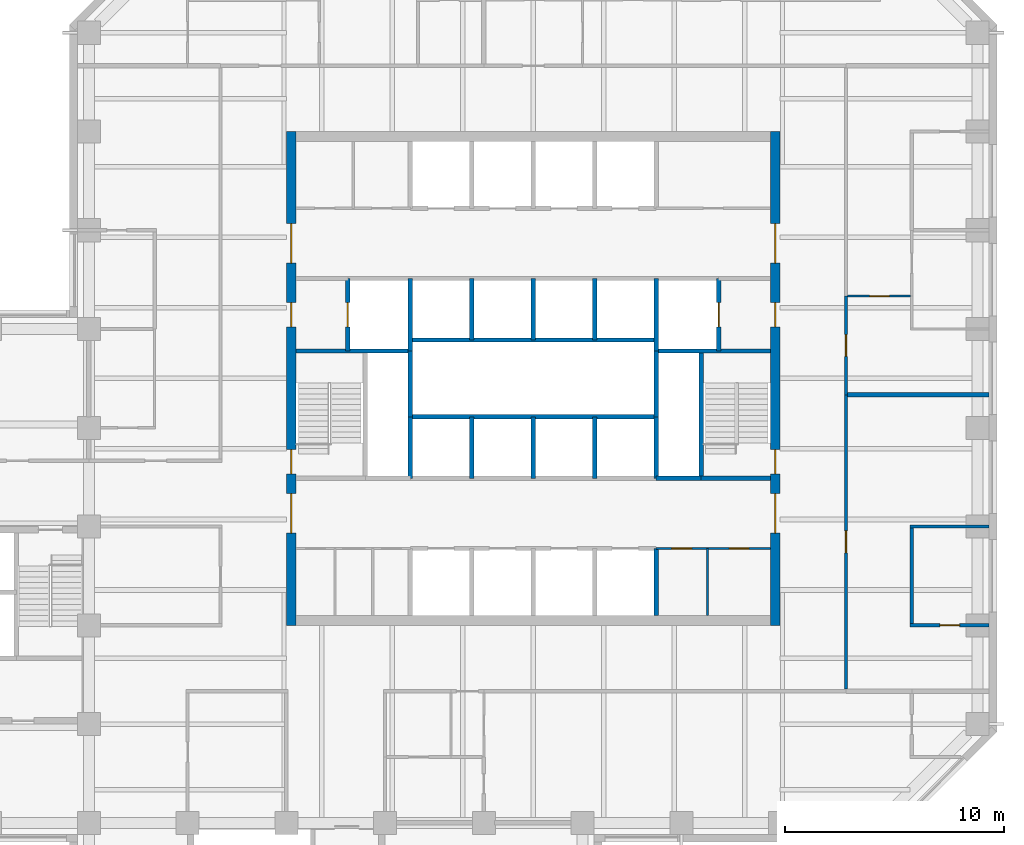
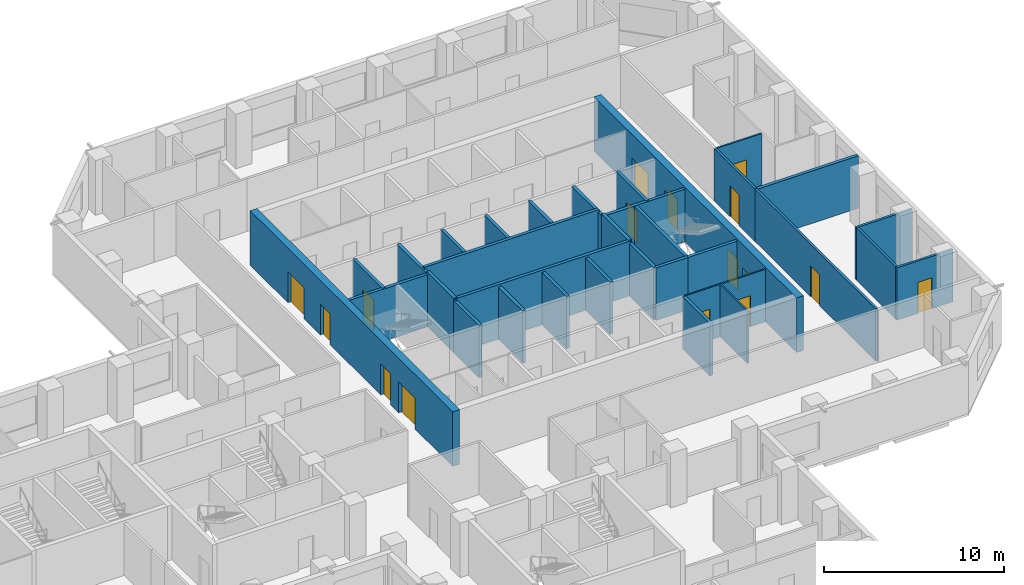
# One storey, part 7 of 11: 33 walls, 16 doors, 16 openings.
"""IFC4 building model written with IfcOpenShell, lengths in metres."""

from ifc_helpers import new_model, si_unit, direction, frame, frame_2d, origin, place, context, subcontext, project, spatial, rectangle, extrude, material, layer, layer_set, type_object, element, fill, save


model = new_model("IFC4")

# Units and contexts
model_context = context("Model", 3, precision=1e-05, world=origin(), true_north=direction((0.0, 1.0)))
body_context = subcontext(model_context, "Body", "Model", "MODEL_VIEW")
ifc_project = project(units=[si_unit("LENGTHUNIT", "METRE"), si_unit("AREAUNIT", "SQUARE_METRE"), si_unit("VOLUMEUNIT", "CUBIC_METRE"), si_unit("PLANEANGLEUNIT", "RADIAN"), si_unit("MASSUNIT", "GRAM", prefix="KILO")], contexts=[model_context])

# Site, building, storey
site_placement = place(None, origin())
site = spatial("IfcSite", under=ifc_project, at=site_placement, CompositionType="ELEMENT")
building_placement = place(site_placement, origin())
building = spatial("IfcBuilding", under=site, at=building_placement, Name="Quoin Convention Tower", CompositionType="ELEMENT")
storey_placement = place(building_placement, frame((0.0, 0.0, 123.300048828125)))
storey = spatial("IfcBuildingStorey", under=building, at=storey_placement, Name="L32", CompositionType="ELEMENT", Elevation=123.300048828125)

# Wall, opening, door
ifc_material_1 = material(Name="Plasterboard")
ifc_layer_1 = layer(ifc_material_1, 0.012451171875, Name="Finish")
ifc_material_2 = material(Name="Steel stud framing", Category="steel")
ifc_layer_2 = layer(ifc_material_2, 0.125, Name="Structure")
ifc_layer_3 = layer(ifc_material_1, 0.012451171875, Name="Finish")
ifc_layer_set_1 = layer_set([ifc_layer_1, ifc_layer_2, ifc_layer_3], Name="Steel stud framing")
wall_type_1 = type_object("IfcWallType", Name="Acoustic partition 150", PredefinedType="PARTITIONING", material=ifc_layer_set_1)
wall_1_placement = place(storey_placement, frame((73.425048828125, 49.5, 0.0), z_axis=(0.0, 0.0, 1.0), x_axis=(1.0, 0.0, 0.0)))
wall_1 = element("IfcWall", 1, at=wall_1_placement, inside=storey, type_object=wall_type_1, Name="pw-L32-028", PredefinedType="PARTITIONING", context=body_context, shape_type="SweptSolid", body=[
    extrude(rectangle(XDim=3.599853515625, YDim=0.14990234375, at=frame_2d((1.7998046875, 0.0))), origin(), (0.0, 0.0, 1.0), 3.550048828125),
])
opening_1_placement = place(wall_1_placement, frame((1.35009765625, 0.0, 0.0)))
opening_1 = element("IfcOpeningElement", 2, at=opening_1_placement, cuts=wall_1, Name="Opening DOL6-10", PredefinedType="OPENING", context=body_context, shape_type="SweptSolid", body=[
    extrude(rectangle(XDim=0.89990234375, YDim=2.10009765625, at=frame_2d((0.449951171875, 1.050048828125))), frame((0.0, 0.0849609375, 0.0), z_axis=(0.0, -1.0, 0.0), x_axis=(1.0, 0.0, 0.0)), (0.0, 0.0, 1.0), 0.169921875),
])
ifc_material_3 = material(Name="Steel door leaf", Category="steel")
door_type_1 = type_object("IfcDoorType", Name="Office door 900 x 2100", OperationType="SINGLE_SWING_RIGHT", PredefinedType="DOOR", material=ifc_material_3)
door_1_placement = place(opening_1_placement, frame((0.89990234375, 0.0, 0.0), z_axis=(0.0, 0.0, 1.0), x_axis=(-1.0, 0.0, 0.0)))
door_1 = element("IfcDoor", 3, at=door_1_placement, inside=storey, type_object=door_type_1, Name="dr-L32-24", OperationType="SINGLE_SWING_LEFT", OverallHeight=2.10009765625, OverallWidth=0.89990234375, PredefinedType="DOOR", context=body_context, shape_type="SweptSolid", body=[
    extrude(rectangle(XDim=0.89990234375, YDim=2.10009765625, at=frame_2d((0.449951171875, 1.050048828125))), frame((0.0, 0.02490234375, 0.0), z_axis=(0.0, -1.0, 0.0), x_axis=(1.0, 0.0, 0.0)), (0.0, 0.0, 1.0), 0.050048828125),
])
fill(opening_1, door_1)

# Walls
wall_2_placement = place(storey_placement, frame((73.425048828125, 54.0, 0.0), z_axis=(0.0, 0.0, 1.0), x_axis=(1.0, 0.0, 0.0)))
element("IfcWall", 4, at=wall_2_placement, inside=storey, type_object=wall_type_1, Name="pw-L32-032", PredefinedType="PARTITIONING", context=body_context, shape_type="SweptSolid", body=[
    extrude(rectangle(XDim=3.599853515625, YDim=0.14990234375, at=frame_2d((1.7998046875, 0.0))), origin(), (0.0, 0.0, 1.0), 3.550048828125),
])
wall_3_placement = place(storey_placement, frame((73.5, 49.574951171875, 0.0), z_axis=(0.0, 0.0, 1.0), x_axis=(0.0, 1.0, 0.0)))
element("IfcWall", 5, at=wall_3_placement, inside=storey, type_object=wall_type_1, Name="pw-L32-084", PredefinedType="PARTITIONING", context=body_context, shape_type="SweptSolid", body=[
    extrude(rectangle(XDim=4.35009765625, YDim=0.14990234375, at=frame_2d((2.175048828125, 0.0))), origin(), (0.0, 0.0, 1.0), 3.550048828125),
])

# Wall, openings, doors
ifc_layer_4 = layer(ifc_material_1, 0.012451171875, Name="Finish")
ifc_layer_5 = layer(ifc_material_2, 0.074951171875, Name="Structure")
ifc_layer_6 = layer(ifc_material_1, 0.012451171875, Name="Finish")
ifc_layer_set_2 = layer_set([ifc_layer_4, ifc_layer_5, ifc_layer_6], Name="Steel stud framing")
wall_type_2 = type_object("IfcWallType", Name="Core partition wall", PredefinedType="PARTITIONING", material=ifc_layer_set_2)
wall_4_placement = place(storey_placement, frame((61.85009765625, 53.0, 0.0), z_axis=(0.0, 0.0, 1.0), x_axis=(1.0, 0.0, 0.0)))
wall_4 = element("IfcWall", 6, at=wall_4_placement, inside=storey, type_object=wall_type_2, Name="cr-C1-L32-h3500_16850", PredefinedType="PARTITIONING", context=body_context, shape_type="SweptSolid", body=[
    extrude(rectangle(XDim=5.199951171875, YDim=0.10009765625, at=frame_2d((2.60009765625, 0.0))), origin(), (0.0, 0.0, 1.0), 3.550048828125),
])
opening_2_placement = place(wall_4_placement, frame((3.320068359375, 0.0, 0.0)))
opening_2 = element("IfcOpeningElement", 7, at=opening_2_placement, cuts=wall_4, Name="Opening DCV5-23", PredefinedType="OPENING", context=body_context, shape_type="SweptSolid", body=[
    extrude(rectangle(XDim=0.89990234375, YDim=2.10009765625, at=frame_2d((0.449951171875, 1.050048828125))), frame((0.0, 0.06005859375, 0.0), z_axis=(0.0, -1.0, 0.0), x_axis=(1.0, 0.0, 0.0)), (0.0, 0.0, 1.0), 0.1201171875),
])
opening_3_placement = place(wall_4_placement, frame((0.719970703125, 0.0, 0.0)))
opening_3 = element("IfcOpeningElement", 8, at=opening_3_placement, cuts=wall_4, Name="Opening DCV5-21", PredefinedType="OPENING", context=body_context, shape_type="SweptSolid", body=[
    extrude(rectangle(XDim=0.89990234375, YDim=2.10009765625, at=frame_2d((0.449951171875, 1.050048828125))), frame((0.0, 0.06005859375, 0.0), z_axis=(0.0, -1.0, 0.0), x_axis=(1.0, 0.0, 0.0)), (0.0, 0.0, 1.0), 0.1201171875),
])
door_type_2 = type_object("IfcDoorType", Name="Core room door 900 x 2100", OperationType="SINGLE_SWING_LEFT", PredefinedType="DOOR", material=ifc_material_3)
door_2_placement = place(opening_2_placement, frame((0.89990234375, 0.0, 0.0), z_axis=(0.0, 0.0, 1.0), x_axis=(-1.0, 0.0, 0.0)))
door_2 = element("IfcDoor", 9, at=door_2_placement, inside=storey, type_object=door_type_2, Name="cd-C1-L32-CSE0-lobA-CD3210", OperationType="SINGLE_SWING_LEFT", OverallHeight=2.10009765625, OverallWidth=0.89990234375, PredefinedType="DOOR", context=body_context, shape_type="SweptSolid", body=[
    extrude(rectangle(XDim=0.89990234375, YDim=2.10009765625, at=frame_2d((0.449951171875, 1.050048828125))), frame((0.0, 0.02490234375, 0.0), z_axis=(0.0, -1.0, 0.0), x_axis=(1.0, 0.0, 0.0)), (0.0, 0.0, 1.0), 0.050048828125),
])
fill(opening_2, door_2)
door_3_placement = place(opening_3_placement, frame((0.89990234375, 0.0, 0.0), z_axis=(0.0, 0.0, 1.0), x_axis=(-1.0, 0.0, 0.0)))
door_3 = element("IfcDoor", 10, at=door_3_placement, inside=storey, type_object=door_type_2, Name="cd-C1-L32-CSE1-lobA-CD3211", OperationType="SINGLE_SWING_RIGHT", OverallHeight=2.10009765625, OverallWidth=0.89990234375, PredefinedType="DOOR", context=body_context, shape_type="SweptSolid", body=[
    extrude(rectangle(XDim=0.89990234375, YDim=2.10009765625, at=frame_2d((0.449951171875, 1.050048828125))), frame((0.0, 0.02490234375, 0.0), z_axis=(0.0, -1.0, 0.0), x_axis=(1.0, 0.0, 0.0)), (0.0, 0.0, 1.0), 0.050048828125),
])
fill(opening_3, door_3)

# Walls
wall_5_placement = place(storey_placement, frame((64.18994140625, 49.949951171875, 0.0), z_axis=(0.0, 0.0, 1.0), x_axis=(0.0, 1.0, 0.0)))
element("IfcWall", 11, at=wall_5_placement, inside=storey, type_object=wall_type_2, Name="cr-C1-L32-v19190_450", PredefinedType="PARTITIONING", context=body_context, shape_type="SweptSolid", body=[
    extrude(rectangle(XDim=3.050048828125, YDim=0.10009765625, at=frame_2d((1.52490234375, 0.0))), origin(), (0.0, 0.0, 1.0), 3.550048828125),
])
ifc_material_4 = material(Name="Concrete C50", Category="concrete")
ifc_layer_7 = layer(ifc_material_4, 0.199951171875)
ifc_layer_set_3 = layer_set([ifc_layer_7], Name="Concrete C50")
wall_type_3 = type_object("IfcWallType", Name="Core shaft wall", PredefinedType="SOLIDWALL", material=ifc_layer_set_3)
wall_6_placement = place(storey_placement, frame((61.85009765625, 56.199951171875, 0.0), z_axis=(0.0, 0.0, 1.0), x_axis=(1.0, 0.0, 0.0)))
element("IfcWall", 12, at=wall_6_placement, inside=storey, type_object=wall_type_3, Name="cr-C1-L32-h6700_16850", PredefinedType="SOLIDWALL", context=body_context, shape_type="SweptSolid", body=[
    extrude(rectangle(XDim=2.0498046875, YDim=0.199951171875, at=frame_2d((1.02490234375, 0.0))), origin(), (0.0, 0.0, 1.0), 3.550048828125),
])
wall_7_placement = place(storey_placement, frame((63.89990234375, 56.199951171875, 0.0), z_axis=(0.0, 0.0, 1.0), x_axis=(1.0, 0.0, 0.0)))
element("IfcWall", 13, at=wall_7_placement, inside=storey, type_object=wall_type_3, Name="cr-C1-L32-h6700_18900", PredefinedType="SOLIDWALL", context=body_context, shape_type="SweptSolid", body=[
    extrude(rectangle(XDim=3.150146484375, YDim=0.199951171875, at=frame_2d((1.5751953125, 0.0))), origin(), (0.0, 0.0, 1.0), 3.550048828125),
])
for number, where, z_axis, x_axis, name in (
    (14, (45.449951171875, 62.0, 0.0), (0.0, 0.0, 1.0), (1.0, 0.0, 0.0), "cr-C1-L32-h12500_450"),
    (15, (61.85009765625, 62.0, 0.0), (0.0, 0.0, 1.0), (1.0, 0.0, 0.0), "cr-C1-L32-h12500_16850"),
):
    element("IfcWall", number, at=place(storey_placement, frame(where, z_axis=z_axis, x_axis=x_axis)), inside=storey, type_object=wall_type_3, Name=name, PredefinedType="SOLIDWALL", context=body_context, shape_type="SweptSolid", body=[
        extrude(rectangle(XDim=5.199951171875, YDim=0.199951171875, at=frame_2d((2.60009765625, 0.0))), origin(), (0.0, 0.0, 1.0), 3.550048828125),
    ])

# Wall, opening, door
wall_8_placement = place(storey_placement, frame((47.800048828125, 62.0, 0.0), z_axis=(0.0, 0.0, 1.0), x_axis=(0.0, 1.0, 0.0)))
wall_8 = element("IfcWall", 16, at=wall_8_placement, inside=storey, type_object=wall_type_3, Name="cr-C1-L32-v2800_12500", PredefinedType="SOLIDWALL", context=body_context, shape_type="SweptSolid", body=[
    extrude(rectangle(XDim=3.300048828125, YDim=0.199951171875, at=frame_2d((1.64990234375, 0.0))), origin(), (0.0, 0.0, 1.0), 3.550048828125),
])
opening_4_placement = place(wall_8_placement, frame((1.10009765625, 0.0, 0.0)))
opening_4 = element("IfcOpeningElement", 17, at=opening_4_placement, cuts=wall_8, Name="Opening LDFL1", PredefinedType="OPENING", context=body_context, shape_type="SweptSolid", body=[
    extrude(rectangle(XDim=1.10009765625, YDim=2.10009765625, at=frame_2d((0.550048828125, 1.050048828125))), frame((0.0, 0.10986328125, 0.0), z_axis=(0.0, -1.0, 0.0), x_axis=(1.0, 0.0, 0.0)), (0.0, 0.0, 1.0), 0.219970703125),
])
door_type_3 = type_object("IfcDoorType", Name="Lift landing door 1100 x 2100", OperationType="DOUBLE_DOOR_SLIDING", PredefinedType="DOOR", material=ifc_material_3)
door_4_placement = place(opening_4_placement, origin())
door_4 = element("IfcDoor", 18, at=door_4_placement, inside=storey, type_object=door_type_3, Name="cd-C1-L32-FLW-FFW-LDFL1", OperationType="DOUBLE_DOOR_SLIDING", OverallHeight=2.10009765625, OverallWidth=1.10009765625, PredefinedType="DOOR", context=body_context, shape_type="SweptSolid", body=[
    extrude(rectangle(XDim=1.10009765625, YDim=2.10009765625, at=frame_2d((0.550048828125, 1.050048828125))), frame((0.0, 0.02490234375, 0.0), z_axis=(0.0, -1.0, 0.0), x_axis=(1.0, 0.0, 0.0)), (0.0, 0.0, 1.0), 0.050048828125),
])
fill(opening_4, door_4)

# Walls
wall_9_placement = place(storey_placement, frame((50.64990234375, 56.199951171875, 0.0), z_axis=(0.0, 0.0, 1.0), x_axis=(0.0, 1.0, 0.0)))
element("IfcWall", 19, at=wall_9_placement, inside=storey, type_object=wall_type_3, Name="cr-C1-L32-v5650_6700", PredefinedType="SOLIDWALL", context=body_context, shape_type="SweptSolid", body=[
    extrude(rectangle(XDim=2.800048828125, YDim=0.199951171875, at=frame_2d((1.39990234375, 0.0))), origin(), (0.0, 0.0, 1.0), 3.550048828125),
])
wall_10_placement = place(storey_placement, frame((50.64990234375, 62.0, 0.0), z_axis=(0.0, 0.0, 1.0), x_axis=(0.0, 1.0, 0.0)))
element("IfcWall", 20, at=wall_10_placement, inside=storey, type_object=wall_type_3, Name="cr-C1-L32-v5650_12500", PredefinedType="SOLIDWALL", context=body_context, shape_type="SweptSolid", body=[
    extrude(rectangle(XDim=3.300048828125, YDim=0.199951171875, at=frame_2d((1.64990234375, 0.0))), origin(), (0.0, 0.0, 1.0), 3.550048828125),
])
for number, where, z_axis, x_axis, name in (
    (21, (53.449951171875, 56.199951171875, 0.0), (0.0, 0.0, 1.0), (0.0, 1.0, 0.0), "cr-C1-L32-v8450_6700"),
    (22, (53.449951171875, 62.5, 0.0), (0.0, 0.0, 1.0), (0.0, 1.0, 0.0), "cr-C1-L32-v8450_13000"),
    (23, (56.25, 56.199951171875, 0.0), (0.0, 0.0, 1.0), (0.0, 1.0, 0.0), "cr-C1-L32-v11250_6700"),
    (24, (56.25, 62.5, 0.0), (0.0, 0.0, 1.0), (0.0, 1.0, 0.0), "cr-C1-L32-v11250_13000"),
    (25, (59.050048828125, 56.199951171875, 0.0), (0.0, 0.0, 1.0), (0.0, 1.0, 0.0), "cr-C1-L32-v14050_6700"),
    (26, (59.050048828125, 62.5, 0.0), (0.0, 0.0, 1.0), (0.0, 1.0, 0.0), "cr-C1-L32-v14050_13000"),
):
    element("IfcWall", number, at=place(storey_placement, frame(where, z_axis=z_axis, x_axis=x_axis)), inside=storey, type_object=wall_type_3, Name=name, PredefinedType="SOLIDWALL", context=body_context, shape_type="SweptSolid", body=[
        extrude(rectangle(XDim=2.800048828125, YDim=0.199951171875, at=frame_2d((1.39990234375, 0.0))), origin(), (0.0, 0.0, 1.0), 3.550048828125),
    ])
wall_11_placement = place(storey_placement, frame((61.85009765625, 49.949951171875, 0.0), z_axis=(0.0, 0.0, 1.0), x_axis=(0.0, 1.0, 0.0)))
element("IfcWall", 27, at=wall_11_placement, inside=storey, type_object=wall_type_3, Name="cr-C1-L32-v16850_450", PredefinedType="SOLIDWALL", context=body_context, shape_type="SweptSolid", body=[
    extrude(rectangle(XDim=3.050048828125, YDim=0.199951171875, at=frame_2d((1.52490234375, 0.0))), origin(), (0.0, 0.0, 1.0), 3.550048828125),
])
wall_12_placement = place(storey_placement, frame((61.85009765625, 56.199951171875, 0.0), z_axis=(0.0, 0.0, 1.0), x_axis=(0.0, 1.0, 0.0)))
element("IfcWall", 28, at=wall_12_placement, inside=storey, type_object=wall_type_3, Name="cr-C1-L32-v16850_6700", PredefinedType="SOLIDWALL", context=body_context, shape_type="SweptSolid", body=[
    extrude(rectangle(XDim=2.800048828125, YDim=0.199951171875, at=frame_2d((1.39990234375, 0.0))), origin(), (0.0, 0.0, 1.0), 3.550048828125),
])
wall_13_placement = place(storey_placement, frame((61.85009765625, 62.0, 0.0), z_axis=(0.0, 0.0, 1.0), x_axis=(0.0, 1.0, 0.0)))
element("IfcWall", 29, at=wall_13_placement, inside=storey, type_object=wall_type_3, Name="cr-C1-L32-v16850_12500", PredefinedType="SOLIDWALL", context=body_context, shape_type="SweptSolid", body=[
    extrude(rectangle(XDim=3.300048828125, YDim=0.199951171875, at=frame_2d((1.64990234375, 0.0))), origin(), (0.0, 0.0, 1.0), 3.550048828125),
])
wall_14_placement = place(storey_placement, frame((63.89990234375, 56.199951171875, 0.0), z_axis=(0.0, 0.0, 1.0), x_axis=(0.0, 1.0, 0.0)))
element("IfcWall", 30, at=wall_14_placement, inside=storey, type_object=wall_type_3, Name="cr-C1-L32-v18900_6700", PredefinedType="SOLIDWALL", context=body_context, shape_type="SweptSolid", body=[
    extrude(rectangle(XDim=5.800048828125, YDim=0.199951171875, at=frame_2d((2.89990234375, 0.0))), origin(), (0.0, 0.0, 1.0), 3.550048828125),
])

# Wall, opening, door
wall_15_placement = place(storey_placement, frame((64.699951171875, 62.0, 0.0), z_axis=(0.0, 0.0, 1.0), x_axis=(0.0, 1.0, 0.0)))
wall_15 = element("IfcWall", 31, at=wall_15_placement, inside=storey, type_object=wall_type_3, Name="cr-C1-L32-v19700_12500", PredefinedType="SOLIDWALL", context=body_context, shape_type="SweptSolid", body=[
    extrude(rectangle(XDim=3.300048828125, YDim=0.199951171875, at=frame_2d((1.64990234375, 0.0))), origin(), (0.0, 0.0, 1.0), 3.550048828125),
])
opening_5_placement = place(wall_15_placement, frame((1.10009765625, 0.0, 0.0)))
opening_5 = element("IfcOpeningElement", 32, at=opening_5_placement, cuts=wall_15, Name="Opening LDFL2", PredefinedType="OPENING", context=body_context, shape_type="SweptSolid", body=[
    extrude(rectangle(XDim=1.10009765625, YDim=2.10009765625, at=frame_2d((0.550048828125, 1.050048828125))), frame((0.0, 0.10986328125, 0.0), z_axis=(0.0, -1.0, 0.0), x_axis=(1.0, 0.0, 0.0)), (0.0, 0.0, 1.0), 0.219970703125),
])
door_5_placement = place(opening_5_placement, origin())
door_5 = element("IfcDoor", 33, at=door_5_placement, inside=storey, type_object=door_type_3, Name="cd-C1-L32-FLE-FFE-LDFL2", OperationType="DOUBLE_DOOR_SLIDING", OverallHeight=2.10009765625, OverallWidth=1.10009765625, PredefinedType="DOOR", context=body_context, shape_type="SweptSolid", body=[
    extrude(rectangle(XDim=1.10009765625, YDim=2.10009765625, at=frame_2d((0.550048828125, 1.050048828125))), frame((0.0, 0.02490234375, 0.0), z_axis=(0.0, -1.0, 0.0), x_axis=(1.0, 0.0, 0.0)), (0.0, 0.0, 1.0), 0.050048828125),
])
fill(opening_5, door_5)

# Walls
ifc_layer_8 = layer(ifc_material_4, 0.199951171875)
ifc_layer_set_4 = layer_set([ifc_layer_8], Name="Concrete C50")
wall_type_4 = type_object("IfcWallType", Name="Core shaft wall to the floor level over", PredefinedType="SOLIDWALL", material=ifc_layer_set_4)
for number, where, z_axis, x_axis, name in (
    (34, (50.64990234375, 59.0, 0.0), (0.0, 0.0, 1.0), (1.0, 0.0, 0.0), "cr-C1-L32-h9500_5650"),
    (35, (50.64990234375, 62.5, 0.0), (0.0, 0.0, 1.0), (1.0, 0.0, 0.0), "cr-C1-L32-h13000_5650"),
):
    element("IfcWall", number, at=place(storey_placement, frame(where, z_axis=z_axis, x_axis=x_axis)), inside=storey, type_object=wall_type_4, Name=name, PredefinedType="SOLIDWALL", context=body_context, shape_type="SweptSolid", body=[
        extrude(rectangle(XDim=11.2001953125, YDim=0.199951171875, at=frame_2d((5.60009765625, 0.0))), origin(), (0.0, 0.0, 1.0), 3.699951171875),
    ])
for number, where, z_axis, x_axis, name in (
    (36, (50.64990234375, 59.0, 0.0), (0.0, 0.0, 1.0), (0.0, 1.0, 0.0), "cr-C1-L32-v5650_9500"),
    (37, (61.85009765625, 59.0, 0.0), (0.0, 0.0, 1.0), (0.0, 1.0, 0.0), "cr-C1-L32-v16850_9500"),
):
    element("IfcWall", number, at=place(storey_placement, frame(where, z_axis=z_axis, x_axis=x_axis)), inside=storey, type_object=wall_type_4, Name=name, PredefinedType="SOLIDWALL", context=body_context, shape_type="SweptSolid", body=[
        extrude(rectangle(XDim=3.0, YDim=0.199951171875, at=frame_2d((1.5, 0.0))), origin(), (0.0, 0.0, 1.0), 3.699951171875),
    ])

# Wall, opening, door
ifc_layer_9 = layer(ifc_material_1, 0.012451171875, Name="Finish")
ifc_layer_10 = layer(ifc_material_2, 0.125, Name="Structure")
ifc_layer_11 = layer(ifc_material_1, 0.012451171875, Name="Finish")
ifc_layer_set_5 = layer_set([ifc_layer_9, ifc_layer_10, ifc_layer_11], Name="Steel stud framing")
wall_type_5 = type_object("IfcWallType", Name="Corridor wall 150", PredefinedType="PARTITIONING", material=ifc_layer_set_5)
wall_16_placement = place(storey_placement, frame((70.5, 46.60009765625, 0.0), z_axis=(0.0, 0.0, 1.0), x_axis=(0.0, 1.0, 0.0)))
wall_16 = element("IfcWall", 38, at=wall_16_placement, inside=storey, type_object=wall_type_5, Name="pw-L32-081", PredefinedType="PARTITIONING", context=body_context, shape_type="SweptSolid", body=[
    extrude(rectangle(XDim=13.39990234375, YDim=0.14990234375, at=frame_2d((6.699951171875, 0.0))), origin(), (0.0, 0.0, 1.0), 3.550048828125),
])
opening_6_placement = place(wall_16_placement, frame((6.199951171875, 0.0, 0.0)))
opening_6 = element("IfcOpeningElement", 39, at=opening_6_placement, cuts=wall_16, Name="Opening DOL6-29", PredefinedType="OPENING", context=body_context, shape_type="SweptSolid", body=[
    extrude(rectangle(XDim=1.0, YDim=2.10009765625, at=frame_2d((0.5, 1.050048828125))), frame((0.0, 0.0849609375, 0.0), z_axis=(0.0, -1.0, 0.0), x_axis=(1.0, 0.0, 0.0)), (0.0, 0.0, 1.0), 0.169921875),
])
door_type_4 = type_object("IfcDoorType", Name="Tenancy entrance door 1000 x 2100", OperationType="DOUBLE_DOOR_SINGLE_SWING", PredefinedType="DOOR", material=ifc_material_3)
door_6_placement = place(opening_6_placement, frame((1.0, 0.0, 0.0), z_axis=(0.0, 0.0, 1.0), x_axis=(-1.0, 0.0, 0.0)))
door_6 = element("IfcDoor", 40, at=door_6_placement, inside=storey, type_object=door_type_4, Name="dr-L32-23", OperationType="DOUBLE_DOOR_SINGLE_SWING", OverallHeight=2.10009765625, OverallWidth=1.0, PredefinedType="DOOR", context=body_context, shape_type="SweptSolid", body=[
    extrude(rectangle(XDim=1.0, YDim=2.10009765625, at=frame_2d((0.5, 1.050048828125))), frame((0.0, 0.02490234375, 0.0), z_axis=(0.0, -1.0, 0.0), x_axis=(1.0, 0.0, 0.0)), (0.0, 0.0, 1.0), 0.050048828125),
])
fill(opening_6, door_6)

wall_17_placement = place(storey_placement, frame((70.5, 60.0, 0.0), z_axis=(0.0, 0.0, 1.0), x_axis=(0.0, 1.0, 0.0)))
wall_17 = element("IfcWall", 41, at=wall_17_placement, inside=storey, type_object=wall_type_5, Name="pw-L32-090", PredefinedType="PARTITIONING", context=body_context, shape_type="SweptSolid", body=[
    extrude(rectangle(XDim=4.5, YDim=0.14990234375, at=frame_2d((2.25, 0.0))), origin(), (0.0, 0.0, 1.0), 3.550048828125),
])
opening_7_placement = place(wall_17_placement, frame((1.75, 0.0, 0.0)))
opening_7 = element("IfcOpeningElement", 42, at=opening_7_placement, cuts=wall_17, Name="Opening DOL6-31", PredefinedType="OPENING", context=body_context, shape_type="SweptSolid", body=[
    extrude(rectangle(XDim=1.0, YDim=2.10009765625, at=frame_2d((0.5, 1.050048828125))), frame((0.0, 0.0849609375, 0.0), z_axis=(0.0, -1.0, 0.0), x_axis=(1.0, 0.0, 0.0)), (0.0, 0.0, 1.0), 0.169921875),
])
door_7_placement = place(opening_7_placement, frame((1.0, 0.0, 0.0), z_axis=(0.0, 0.0, 1.0), x_axis=(-1.0, 0.0, 0.0)))
door_7 = element("IfcDoor", 43, at=door_7_placement, inside=storey, type_object=door_type_4, Name="dr-L32-25", OperationType="DOUBLE_DOOR_SINGLE_SWING", OverallHeight=2.10009765625, OverallWidth=1.0, PredefinedType="DOOR", context=body_context, shape_type="SweptSolid", body=[
    extrude(rectangle(XDim=1.0, YDim=2.10009765625, at=frame_2d((0.5, 1.050048828125))), frame((0.0, 0.02490234375, 0.0), z_axis=(0.0, -1.0, 0.0), x_axis=(1.0, 0.0, 0.0)), (0.0, 0.0, 1.0), 0.050048828125),
])
fill(opening_7, door_7)

# Wall, openings, doors
ifc_material_5 = material(Name="Concrete C65", Category="concrete")
ifc_layer_12 = layer(ifc_material_5, 0.449951171875)
ifc_layer_set_6 = layer_set([ifc_layer_12], Name="Concrete C65")
wall_type_6 = type_object("IfcWallType", Name="RC CORE WALL 450 C65", PredefinedType="SHEAR", material=ifc_layer_set_6)
wall_18_placement = place(storey_placement, frame((45.22509765625, 49.5, 0.0), z_axis=(0.0, 0.0, 1.0), x_axis=(0.0, 1.0, 0.0)))
wall_18 = element("IfcWall", 44, at=wall_18_placement, inside=storey, type_object=wall_type_6, Name="cwl-C1-L32-W", PredefinedType="SHEAR", context=body_context, shape_type="SweptSolid", body=[
    extrude(rectangle(XDim=22.5, YDim=0.449951171875, at=frame_2d((11.25, 0.0))), origin(), (0.0, 0.0, 1.0), 3.699951171875),
])
opening_8_placement = place(wall_18_placement, frame((4.199951171875, 0.0, 0.0)))
opening_8 = element("IfcOpeningElement", 45, at=opening_8_placement, cuts=wall_18, Name="Opening DCV5-50", PredefinedType="OPENING", context=body_context, shape_type="SweptSolid", body=[
    extrude(rectangle(XDim=1.800048828125, YDim=2.10009765625, at=frame_2d((0.89990234375, 1.050048828125))), frame((0.0, 0.23486328125, 0.0), z_axis=(0.0, -1.0, 0.0), x_axis=(1.0, 0.0, 0.0)), (0.0, 0.0, 1.0), 0.469970703125),
])
opening_9_placement = place(wall_18_placement, frame((6.89990234375, 0.0, 0.0)))
opening_9 = element("IfcOpeningElement", 46, at=opening_9_placement, cuts=wall_18, Name="Opening SD1", PredefinedType="OPENING", context=body_context, shape_type="SweptSolid", body=[
    extrude(rectangle(XDim=1.10009765625, YDim=2.10009765625, at=frame_2d((0.550048828125, 1.050048828125))), frame((0.0, 0.23486328125, 0.0), z_axis=(0.0, -1.0, 0.0), x_axis=(1.0, 0.0, 0.0)), (0.0, 0.0, 1.0), 0.469970703125),
])
opening_10_placement = place(wall_18_placement, frame((13.60009765625, 0.0, 0.0)))
opening_10 = element("IfcOpeningElement", 47, at=opening_10_placement, cuts=wall_18, Name="Opening DCV5-49", PredefinedType="OPENING", context=body_context, shape_type="SweptSolid", body=[
    extrude(rectangle(XDim=1.10009765625, YDim=2.10009765625, at=frame_2d((0.550048828125, 1.050048828125))), frame((0.0, 0.23486328125, 0.0), z_axis=(0.0, -1.0, 0.0), x_axis=(1.0, 0.0, 0.0)), (0.0, 0.0, 1.0), 0.469970703125),
])
opening_11_placement = place(wall_18_placement, frame((16.5, 0.0, 0.0)))
opening_11 = element("IfcOpeningElement", 48, at=opening_11_placement, cuts=wall_18, Name="Opening DCV5-50", PredefinedType="OPENING", context=body_context, shape_type="SweptSolid", body=[
    extrude(rectangle(XDim=1.800048828125, YDim=2.10009765625, at=frame_2d((0.89990234375, 1.050048828125))), frame((0.0, 0.23486328125, 0.0), z_axis=(0.0, -1.0, 0.0), x_axis=(1.0, 0.0, 0.0)), (0.0, 0.0, 1.0), 0.469970703125),
])
door_type_5 = type_object("IfcDoorType", Name="Fire-fighting lobby door 1100 x 2100", OperationType="SINGLE_SWING_LEFT", PredefinedType="DOOR", material=ifc_material_3)
door_8_placement = place(opening_10_placement, frame((1.10009765625, 0.0, 0.0), z_axis=(0.0, 0.0, 1.0), x_axis=(-1.0, 0.0, 0.0)))
door_8 = element("IfcDoor", 49, at=door_8_placement, inside=storey, type_object=door_type_5, Name="cd-C1-L32-FFW-W", OperationType="SINGLE_SWING_LEFT", OverallHeight=2.10009765625, OverallWidth=1.10009765625, PredefinedType="DOOR", context=body_context, shape_type="SweptSolid", body=[
    extrude(rectangle(XDim=1.10009765625, YDim=2.10009765625, at=frame_2d((0.550048828125, 1.050048828125))), frame((0.0, 0.02490234375, 0.0), z_axis=(0.0, -1.0, 0.0), x_axis=(1.0, 0.0, 0.0)), (0.0, 0.0, 1.0), 0.050048828125),
])
fill(opening_10, door_8)
door_type_6 = type_object("IfcDoorType", Name="Lift lobby door 1800 x 2100", OperationType="SINGLE_SWING_LEFT", PredefinedType="DOOR", material=ifc_material_3)
door_9_placement = place(opening_8_placement, frame((1.800048828125, 0.0, 0.0), z_axis=(0.0, 0.0, 1.0), x_axis=(-1.0, 0.0, 0.0)))
door_9 = element("IfcDoor", 50, at=door_9_placement, inside=storey, type_object=door_type_6, Name="cd-C1-L32-lobA-W", OperationType="SINGLE_SWING_LEFT", OverallHeight=2.10009765625, OverallWidth=1.800048828125, PredefinedType="DOOR", context=body_context, shape_type="SweptSolid", body=[
    extrude(rectangle(XDim=1.800048828125, YDim=2.10009765625, at=frame_2d((0.89990234375, 1.050048828125))), frame((0.0, 0.02490234375, 0.0), z_axis=(0.0, -1.0, 0.0), x_axis=(1.0, 0.0, 0.0)), (0.0, 0.0, 1.0), 0.050048828125),
])
fill(opening_8, door_9)
door_10_placement = place(opening_11_placement, frame((1.800048828125, 0.0, 0.0), z_axis=(0.0, 0.0, 1.0), x_axis=(-1.0, 0.0, 0.0)))
door_10 = element("IfcDoor", 51, at=door_10_placement, inside=storey, type_object=door_type_6, Name="cd-C1-L32-lobB-W", OperationType="SINGLE_SWING_LEFT", OverallHeight=2.10009765625, OverallWidth=1.800048828125, PredefinedType="DOOR", context=body_context, shape_type="SweptSolid", body=[
    extrude(rectangle(XDim=1.800048828125, YDim=2.10009765625, at=frame_2d((0.89990234375, 1.050048828125))), frame((0.0, 0.02490234375, 0.0), z_axis=(0.0, -1.0, 0.0), x_axis=(1.0, 0.0, 0.0)), (0.0, 0.0, 1.0), 0.050048828125),
])
fill(opening_11, door_10)
door_type_7 = type_object("IfcDoorType", Name="Stair door 1100 x 2100", OperationType="SINGLE_SWING_RIGHT", PredefinedType="DOOR", material=ifc_material_3)
door_11_placement = place(opening_9_placement, frame((1.10009765625, 0.0, 0.0), z_axis=(0.0, 0.0, 1.0), x_axis=(-1.0, 0.0, 0.0)))
door_11 = element("IfcDoor", 52, at=door_11_placement, inside=storey, type_object=door_type_7, Name="cd-C1-L32-STW-W", OperationType="SINGLE_SWING_RIGHT", OverallHeight=2.10009765625, OverallWidth=1.10009765625, PredefinedType="DOOR", context=body_context, shape_type="SweptSolid", body=[
    extrude(rectangle(XDim=1.10009765625, YDim=2.10009765625, at=frame_2d((0.550048828125, 1.050048828125))), frame((0.0, 0.02490234375, 0.0), z_axis=(0.0, -1.0, 0.0), x_axis=(1.0, 0.0, 0.0)), (0.0, 0.0, 1.0), 0.050048828125),
])
fill(opening_9, door_11)

wall_19_placement = place(storey_placement, frame((67.27490234375, 49.5, 0.0), z_axis=(0.0, 0.0, 1.0), x_axis=(0.0, 1.0, 0.0)))
wall_19 = element("IfcWall", 53, at=wall_19_placement, inside=storey, type_object=wall_type_6, Name="cwl-C1-L32-E", PredefinedType="SHEAR", context=body_context, shape_type="SweptSolid", body=[
    extrude(rectangle(XDim=22.5, YDim=0.449951171875, at=frame_2d((11.25, 0.0))), origin(), (0.0, 0.0, 1.0), 3.699951171875),
])
opening_12_placement = place(wall_19_placement, frame((4.199951171875, 0.0, 0.0)))
opening_12 = element("IfcOpeningElement", 54, at=opening_12_placement, cuts=wall_19, Name="Opening DCV5-48", PredefinedType="OPENING", context=body_context, shape_type="SweptSolid", body=[
    extrude(rectangle(XDim=1.800048828125, YDim=2.10009765625, at=frame_2d((0.89990234375, 1.050048828125))), frame((0.0, 0.23486328125, 0.0), z_axis=(0.0, -1.0, 0.0), x_axis=(1.0, 0.0, 0.0)), (0.0, 0.0, 1.0), 0.469970703125),
])
opening_13_placement = place(wall_19_placement, frame((6.89990234375, 0.0, 0.0)))
opening_13 = element("IfcOpeningElement", 55, at=opening_13_placement, cuts=wall_19, Name="Opening SD2", PredefinedType="OPENING", context=body_context, shape_type="SweptSolid", body=[
    extrude(rectangle(XDim=1.10009765625, YDim=2.10009765625, at=frame_2d((0.550048828125, 1.050048828125))), frame((0.0, 0.23486328125, 0.0), z_axis=(0.0, -1.0, 0.0), x_axis=(1.0, 0.0, 0.0)), (0.0, 0.0, 1.0), 0.469970703125),
])
opening_14_placement = place(wall_19_placement, frame((13.60009765625, 0.0, 0.0)))
opening_14 = element("IfcOpeningElement", 56, at=opening_14_placement, cuts=wall_19, Name="Opening DCV5-47", PredefinedType="OPENING", context=body_context, shape_type="SweptSolid", body=[
    extrude(rectangle(XDim=1.10009765625, YDim=2.10009765625, at=frame_2d((0.550048828125, 1.050048828125))), frame((0.0, 0.23486328125, 0.0), z_axis=(0.0, -1.0, 0.0), x_axis=(1.0, 0.0, 0.0)), (0.0, 0.0, 1.0), 0.469970703125),
])
opening_15_placement = place(wall_19_placement, frame((16.5, 0.0, 0.0)))
opening_15 = element("IfcOpeningElement", 57, at=opening_15_placement, cuts=wall_19, Name="Opening DCV5-48", PredefinedType="OPENING", context=body_context, shape_type="SweptSolid", body=[
    extrude(rectangle(XDim=1.800048828125, YDim=2.10009765625, at=frame_2d((0.89990234375, 1.050048828125))), frame((0.0, 0.23486328125, 0.0), z_axis=(0.0, -1.0, 0.0), x_axis=(1.0, 0.0, 0.0)), (0.0, 0.0, 1.0), 0.469970703125),
])
door_12_placement = place(opening_14_placement, origin())
door_12 = element("IfcDoor", 58, at=door_12_placement, inside=storey, type_object=door_type_5, Name="cd-C1-L32-FFE-E", OperationType="SINGLE_SWING_RIGHT", OverallHeight=2.10009765625, OverallWidth=1.10009765625, PredefinedType="DOOR", context=body_context, shape_type="SweptSolid", body=[
    extrude(rectangle(XDim=1.10009765625, YDim=2.10009765625, at=frame_2d((0.550048828125, 1.050048828125))), frame((0.0, 0.02490234375, 0.0), z_axis=(0.0, -1.0, 0.0), x_axis=(1.0, 0.0, 0.0)), (0.0, 0.0, 1.0), 0.050048828125),
])
fill(opening_14, door_12)
door_13_placement = place(opening_12_placement, origin())
door_13 = element("IfcDoor", 59, at=door_13_placement, inside=storey, type_object=door_type_6, Name="cd-C1-L32-lobA-E", OperationType="SINGLE_SWING_RIGHT", OverallHeight=2.10009765625, OverallWidth=1.800048828125, PredefinedType="DOOR", context=body_context, shape_type="SweptSolid", body=[
    extrude(rectangle(XDim=1.800048828125, YDim=2.10009765625, at=frame_2d((0.89990234375, 1.050048828125))), frame((0.0, 0.02490234375, 0.0), z_axis=(0.0, -1.0, 0.0), x_axis=(1.0, 0.0, 0.0)), (0.0, 0.0, 1.0), 0.050048828125),
])
fill(opening_12, door_13)
door_14_placement = place(opening_15_placement, origin())
door_14 = element("IfcDoor", 60, at=door_14_placement, inside=storey, type_object=door_type_6, Name="cd-C1-L32-lobB-E", OperationType="SINGLE_SWING_RIGHT", OverallHeight=2.10009765625, OverallWidth=1.800048828125, PredefinedType="DOOR", context=body_context, shape_type="SweptSolid", body=[
    extrude(rectangle(XDim=1.800048828125, YDim=2.10009765625, at=frame_2d((0.89990234375, 1.050048828125))), frame((0.0, 0.02490234375, 0.0), z_axis=(0.0, -1.0, 0.0), x_axis=(1.0, 0.0, 0.0)), (0.0, 0.0, 1.0), 0.050048828125),
])
fill(opening_15, door_14)
door_15_placement = place(opening_13_placement, origin())
door_15 = element("IfcDoor", 61, at=door_15_placement, inside=storey, type_object=door_type_7, Name="cd-C1-L32-STE-E", OperationType="SINGLE_SWING_LEFT", OverallHeight=2.10009765625, OverallWidth=1.10009765625, PredefinedType="DOOR", context=body_context, shape_type="SweptSolid", body=[
    extrude(rectangle(XDim=1.10009765625, YDim=2.10009765625, at=frame_2d((0.550048828125, 1.050048828125))), frame((0.0, 0.02490234375, 0.0), z_axis=(0.0, -1.0, 0.0), x_axis=(1.0, 0.0, 0.0)), (0.0, 0.0, 1.0), 0.050048828125),
])
fill(opening_13, door_15)

# Wall, opening, door
ifc_layer_13 = layer(ifc_material_1, 0.012451171875, Name="Finish")
ifc_layer_14 = layer(ifc_material_2, 0.074951171875, Name="Structure")
ifc_layer_15 = layer(ifc_material_1, 0.012451171875, Name="Finish")
ifc_layer_set_7 = layer_set([ifc_layer_13, ifc_layer_14, ifc_layer_15], Name="Steel stud framing")
wall_type_7 = type_object("IfcWallType", Name="Stud partition 100", PredefinedType="PARTITIONING", material=ifc_layer_set_7)
wall_20_placement = place(storey_placement, frame((70.574951171875, 64.5, 0.0), z_axis=(0.0, 0.0, 1.0), x_axis=(1.0, 0.0, 0.0)))
wall_20 = element("IfcWall", 62, at=wall_20_placement, inside=storey, type_object=wall_type_7, Name="pw-L32-040", PredefinedType="PARTITIONING", context=body_context, shape_type="SweptSolid", body=[
    extrude(rectangle(XDim=2.875, YDim=0.10009765625, at=frame_2d((1.4375, 0.0))), origin(), (0.0, 0.0, 1.0), 3.550048828125),
])
opening_16_placement = place(wall_20_placement, frame((1.0, 0.0, 0.0)))
opening_16 = element("IfcOpeningElement", 63, at=opening_16_placement, cuts=wall_20, Name="Opening DOL6-14", PredefinedType="OPENING", context=body_context, shape_type="SweptSolid", body=[
    extrude(rectangle(XDim=0.89990234375, YDim=2.10009765625, at=frame_2d((0.449951171875, 1.050048828125))), frame((0.0, 0.06005859375, 0.0), z_axis=(0.0, -1.0, 0.0), x_axis=(1.0, 0.0, 0.0)), (0.0, 0.0, 1.0), 0.1201171875),
])
door_16_placement = place(opening_16_placement, origin())
door_16 = element("IfcDoor", 64, at=door_16_placement, inside=storey, type_object=door_type_1, Name="dr-L32-26", OperationType="SINGLE_SWING_RIGHT", OverallHeight=2.10009765625, OverallWidth=0.89990234375, PredefinedType="DOOR", context=body_context, shape_type="SweptSolid", body=[
    extrude(rectangle(XDim=0.89990234375, YDim=2.10009765625, at=frame_2d((0.449951171875, 1.050048828125))), frame((0.0, 0.02490234375, 0.0), z_axis=(0.0, -1.0, 0.0), x_axis=(1.0, 0.0, 0.0)), (0.0, 0.0, 1.0), 0.050048828125),
])
fill(opening_16, door_16)

# Wall
ifc_layer_16 = layer(ifc_material_1, 0.012451171875, Name="Finish")
ifc_layer_17 = layer(ifc_material_2, 0.175048828125, Name="Structure")
ifc_layer_18 = layer(ifc_material_1, 0.012451171875, Name="Finish")
ifc_layer_set_8 = layer_set([ifc_layer_16, ifc_layer_17, ifc_layer_18], Name="Steel stud framing")
wall_type_8 = type_object("IfcWallType", Name="Tenancy demising wall 200", PredefinedType="PARTITIONING", material=ifc_layer_set_8)
wall_21_placement = place(storey_placement, frame((70.574951171875, 60.0, 0.0), z_axis=(0.0, 0.0, 1.0), x_axis=(1.0, 0.0, 0.0)))
element("IfcWall", 65, at=wall_21_placement, inside=storey, type_object=wall_type_8, Name="pw-L32-037", PredefinedType="PARTITIONING", context=body_context, shape_type="SweptSolid", body=[
    extrude(rectangle(XDim=6.449951171875, YDim=0.199951171875, at=frame_2d((3.22509765625, 0.0))), origin(), (0.0, 0.0, 1.0), 3.550048828125),
])

save(model, "model.ifc")
